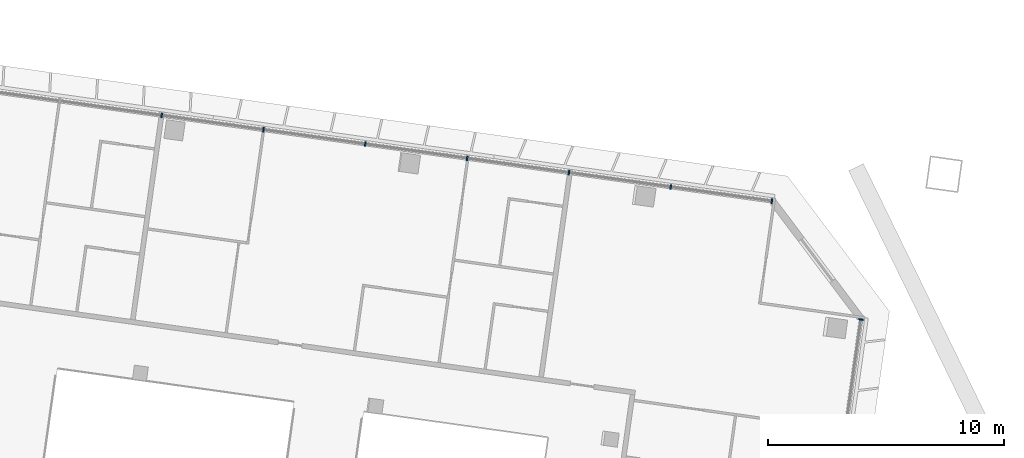
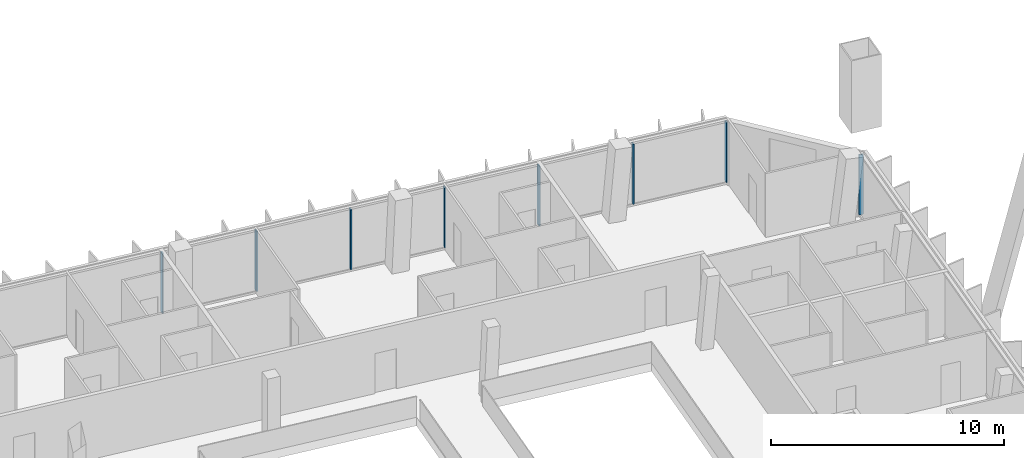
# One storey, part 6 of 26: 8 members, 2 elements without a shape of their own.
"""IFC4 building model written with IfcOpenShell, lengths in metres."""

from ifc_helpers import new_model, si_unit, direction, frame, origin, origin_2d, place, context, subcontext, project, spatial, rectangle, extrude, material, material_profile, profile_set, type_object, element, aggregate, save


model = new_model("IFC4")

# Units and contexts
model_context = context("Model", 3, precision=1e-05, world=origin(), true_north=direction((0.0, 1.0)))
body_context = subcontext(model_context, "Body", "Model", "MODEL_VIEW")
ifc_project = project(units=[si_unit("LENGTHUNIT", "METRE"), si_unit("AREAUNIT", "SQUARE_METRE"), si_unit("VOLUMEUNIT", "CUBIC_METRE"), si_unit("PLANEANGLEUNIT", "RADIAN"), si_unit("MASSUNIT", "GRAM", prefix="KILO")], contexts=[model_context])

# Site, building, storey
site_placement = place(None, origin())
site = spatial("IfcSite", under=ifc_project, at=site_placement, CompositionType="ELEMENT")
building_placement = place(site_placement, origin())
building = spatial("IfcBuilding", under=site, at=building_placement, Name="Mirante Cascada Hotel Towers", CompositionType="ELEMENT")
storey_placement = place(building_placement, frame((0.0, 0.0, 203.0)))
storey = spatial("IfcBuildingStorey", under=building, at=storey_placement, Name="L48", CompositionType="ELEMENT", Elevation=203.0)

# Curtain wall, members
ifc_material_1 = material(Name="Aluminium mullion and transom frame with clear laminated glass", Category="aluminium")
curtain_wall_type_1 = type_object("IfcCurtainWallType", Name="Ribbon curtain wall ECW1", PredefinedType="NOTDEFINED", material=ifc_material_1)
curtain_wall_1_placement = place(storey_placement, origin())
curtain_wall_1 = element("IfcCurtainWall", 1, at=curtain_wall_1_placement, inside=storey, type_object=curtain_wall_type_1, Name="Front ribbon wall T1 L48", PredefinedType="NOTDEFINED")
ifc_material_2 = material(Name="Anodised aluminium extrusion", Category="aluminium")
ifc_material_profile_1 = material_profile(ifc_material_2, rectangle(XDim=0.2, YDim=0.065, at=origin_2d()), Name="ECW1 MULLION 65x200")
ifc_profile_set_1 = profile_set([ifc_material_profile_1], Name="Anodised aluminium extrusion")
member_type_1 = type_object("IfcMemberType", Name="ECW1 mullion 65x200", PredefinedType="MULLION", material=ifc_profile_set_1)
member_1_placement = place(storey_placement, frame((-54.7365, 20.5117, 0.1), z_axis=(0.0, 0.0, 1.0), x_axis=(0.1391731, 0.9902681, 0.0)))
member_1 = element("IfcMember", 2, at=member_1_placement, type_object=member_type_1, Name="ECW1 mullion 6", PredefinedType="MULLION", context=body_context, shape_type="SweptSolid", body=[
    extrude(rectangle(XDim=0.2, YDim=0.065, at=origin_2d()), origin(), (0.0, 0.0, 1.0), 3.15),
])
member_2_placement = place(storey_placement, frame((-50.4171, 19.9047, 0.1), z_axis=(0.0, 0.0, 1.0), x_axis=(0.1391731, 0.9902681, 0.0)))
member_2 = element("IfcMember", 3, at=member_2_placement, type_object=member_type_1, Name="ECW1 mullion 7", PredefinedType="MULLION", context=body_context, shape_type="SweptSolid", body=[
    extrude(rectangle(XDim=0.2, YDim=0.065, at=origin_2d()), origin(), (0.0, 0.0, 1.0), 3.15),
])
member_3_placement = place(storey_placement, frame((-46.0977, 19.2976, 0.1), z_axis=(0.0, 0.0, 1.0), x_axis=(0.1391731, 0.9902681, 0.0)))
member_3 = element("IfcMember", 4, at=member_3_placement, type_object=member_type_1, Name="ECW1 mullion 8", PredefinedType="MULLION", context=body_context, shape_type="SweptSolid", body=[
    extrude(rectangle(XDim=0.2, YDim=0.065, at=origin_2d()), origin(), (0.0, 0.0, 1.0), 3.15),
])
member_4_placement = place(storey_placement, frame((-41.7783, 18.6906, 0.1), z_axis=(0.0, 0.0, 1.0), x_axis=(0.1391731, 0.9902681, 0.0)))
member_4 = element("IfcMember", 5, at=member_4_placement, type_object=member_type_1, Name="ECW1 mullion 9", PredefinedType="MULLION", context=body_context, shape_type="SweptSolid", body=[
    extrude(rectangle(XDim=0.2, YDim=0.065, at=origin_2d()), origin(), (0.0, 0.0, 1.0), 3.15),
])
member_5_placement = place(storey_placement, frame((-37.459, 18.0835, 0.1), z_axis=(0.0, 0.0, 1.0), x_axis=(0.1391731, 0.9902681, 0.0)))
member_5 = element("IfcMember", 6, at=member_5_placement, type_object=member_type_1, Name="ECW1 mullion 10", PredefinedType="MULLION", context=body_context, shape_type="SweptSolid", body=[
    extrude(rectangle(XDim=0.2, YDim=0.065, at=origin_2d()), origin(), (0.0, 0.0, 1.0), 3.15),
])
member_6_placement = place(storey_placement, frame((-33.1396, 17.4765, 0.1), z_axis=(0.0, 0.0, 1.0), x_axis=(0.1391731, 0.9902681, 0.0)))
member_6 = element("IfcMember", 7, at=member_6_placement, type_object=member_type_1, Name="ECW1 mullion 11", PredefinedType="MULLION", context=body_context, shape_type="SweptSolid", body=[
    extrude(rectangle(XDim=0.2, YDim=0.065, at=origin_2d()), origin(), (0.0, 0.0, 1.0), 3.15),
])
member_7_placement = place(storey_placement, frame((-28.8524, 16.874, 0.1), z_axis=(0.0, 0.0, 1.0), x_axis=(0.1391731, 0.9902681, 0.0)))
member_7 = element("IfcMember", 8, at=member_7_placement, type_object=member_type_1, Name="ECW1 mullion 12", PredefinedType="MULLION", context=body_context, shape_type="SweptSolid", body=[
    extrude(rectangle(XDim=0.2, YDim=0.065, at=origin_2d()), origin(), (0.0, 0.0, 1.0), 3.15),
])
aggregate(curtain_wall_1, [member_1, member_2, member_3, member_4, member_5, member_6, member_7])

# Curtain wall, member
ifc_material_3 = material(Name="Aluminium mullion and transom frame with clear laminated glass", Category="aluminium")
curtain_wall_type_2 = type_object("IfcCurtainWallType", Name="End ribbon curtain wall ECW2", PredefinedType="NOTDEFINED", material=ifc_material_3)
curtain_wall_2_placement = place(storey_placement, origin())
curtain_wall_2 = element("IfcCurtainWall", 9, at=curtain_wall_2_placement, inside=storey, type_object=curtain_wall_type_2, Name="Inner end wall T1 L48", PredefinedType="NOTDEFINED")
ifc_material_4 = material(Name="Anodised aluminium extrusion", Category="aluminium")
ifc_material_profile_2 = material_profile(ifc_material_4, rectangle(XDim=0.2, YDim=0.065, at=origin_2d()), Name="ECW2 MULLION 65x200")
ifc_profile_set_2 = profile_set([ifc_material_profile_2], Name="Anodised aluminium extrusion")
member_type_2 = type_object("IfcMemberType", Name="ECW2 mullion 65x200", PredefinedType="MULLION", material=ifc_profile_set_2)
member_8_placement = place(storey_placement, frame((-25.0696, 11.854, 0.1), z_axis=(0.0, 0.0, 1.0), x_axis=(0.9902681, -0.1391731, 0.0)))
member_8 = element("IfcMember", 10, at=member_8_placement, type_object=member_type_2, Name="ECW2 mullion 1", PredefinedType="MULLION", context=body_context, shape_type="SweptSolid", body=[
    extrude(rectangle(XDim=0.2, YDim=0.065, at=origin_2d()), origin(), (0.0, 0.0, 1.0), 3.15),
])
aggregate(curtain_wall_2, [member_8])

save(model, "model.ifc")
